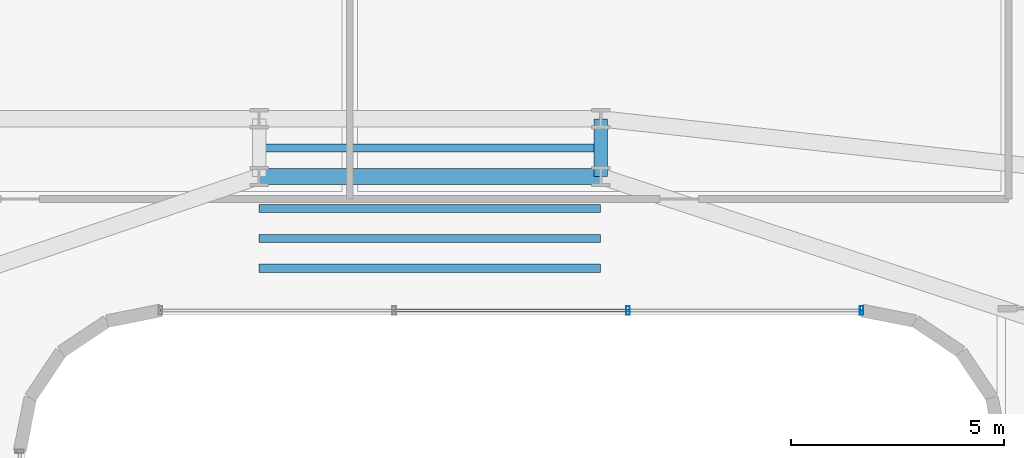
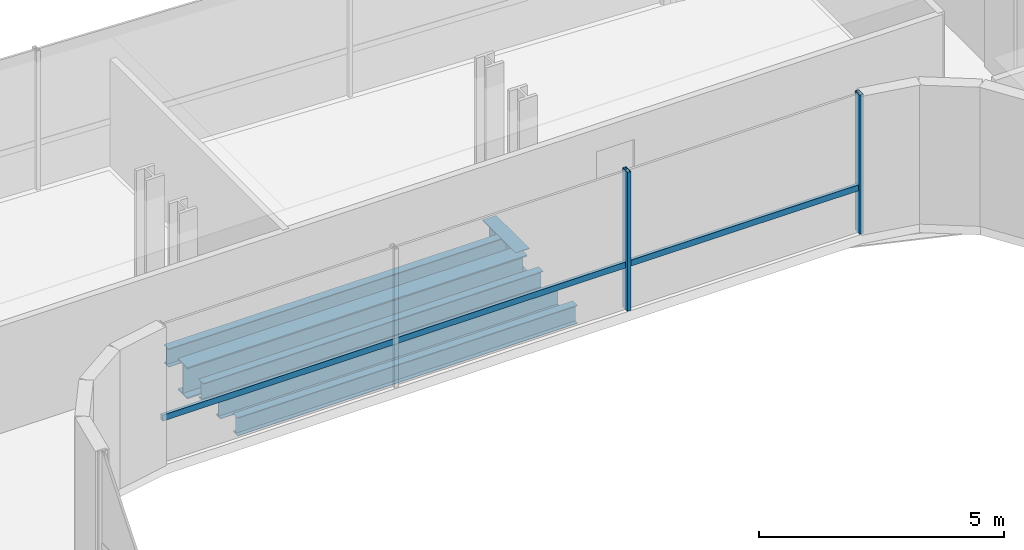
# One storey, part 14 of 34: 6 beams, 3 members, 1 element without a shape of its own.
"""IFC4 building model written with IfcOpenShell, lengths in metres."""

from ifc_helpers import new_model, si_unit, direction, frame, origin, origin_2d, place, context, subcontext, project, spatial, hollow_rectangle, i_section, extrude, source, transform, mapped, material, material_profile, profile_set, type_object, element, aggregate, save


model = new_model("IFC4")

# Units and contexts
model_context = context("Model", 3, precision=1e-05, world=origin(), true_north=direction((0.0, 1.0)))
body_context = subcontext(model_context, "Body", "Model", "MODEL_VIEW")
ifc_project = project(units=[si_unit("LENGTHUNIT", "METRE"), si_unit("AREAUNIT", "SQUARE_METRE"), si_unit("VOLUMEUNIT", "CUBIC_METRE"), si_unit("PLANEANGLEUNIT", "RADIAN"), si_unit("MASSUNIT", "GRAM", prefix="KILO")], contexts=[model_context])

# Site, building, storey
site_placement = place(None, origin())
site = spatial("IfcSite", under=ifc_project, at=site_placement, CompositionType="ELEMENT")
building_placement = place(site_placement, origin())
building = spatial("IfcBuilding", under=site, at=building_placement, Name="Valdorenza Pilgrim Sanctuary Tower", CompositionType="ELEMENT")
storey_placement = place(building_placement, frame((0.0, 0.0, 142.699951171875)))
storey = spatial("IfcBuildingStorey", under=building, at=storey_placement, Name="L36", CompositionType="ELEMENT", Elevation=142.699951171875)

# Beams
ifc_material_1 = material(Name="Steel ASTM A992 Grade 50", Category="steel")
ifc_material_profile_1 = material_profile(ifc_material_1, i_section(OverallWidth=0.323974609375, OverallDepth=0.611083984375, WebThickness=0.0126953125, FlangeThickness=0.01904296875, at=origin_2d()), Name="W24X104")
ifc_profile_set_1 = profile_set([ifc_material_profile_1], Name="Steel ASTM A992 Grade 50")
beam_type_1 = type_object("IfcBeamType", Name="STR-BM-GRD-W24B", PredefinedType="BEAM", material=ifc_profile_set_1)
shared_shape_1 = source(origin(), body_context, "Body", "SweptSolid", [
    extrude(i_section(OverallWidth=0.323974609375, OverallDepth=0.611083984375, WebThickness=0.0126953125, FlangeThickness=0.01904296875, at=origin_2d()), origin(), (0.0, 0.0, 1.0), 1.35009765625),
])
beam_1_placement = place(storey_placement, frame((4.0, 13.449951171875, -0.54541015625), z_axis=(0.0, 1.0, 0.0), x_axis=(-1.0, 0.0, 0.0)))
element("IfcBeam", 1, at=beam_1_placement, inside=storey, type_object=beam_type_1, Name="L36 Floor Girder KNK-TIE-E", PredefinedType="BEAM", context=body_context, shape_type="MappedRepresentation", body=[
    mapped(shared_shape_1, transform((0.0, 0.0, 0.0), x_axis=(1.0, 0.0, 0.0), y_axis=(0.0, 1.0, 0.0), z_axis=(0.0, 0.0, 1.0), scale=1.0)),
])
ifc_material_profile_2 = material_profile(ifc_material_1, i_section(OverallWidth=0.382080078125, OverallDepth=0.779052734375, WebThickness=0.01806640625, FlangeThickness=0.030029296875, at=origin_2d()), Name="W30X191")
ifc_profile_set_2 = profile_set([ifc_material_profile_2], Name="Steel ASTM A992 Grade 50")
beam_type_2 = type_object("IfcBeamType", Name="STR-BM-GRD-W30", PredefinedType="BEAM", material=ifc_profile_set_2)
shared_shape_2 = source(origin(), body_context, "Body", "SweptSolid", [
    extrude(i_section(OverallWidth=0.382080078125, OverallDepth=0.779052734375, WebThickness=0.01806640625, FlangeThickness=0.030029296875, at=origin_2d()), origin(), (0.0, 0.0, 1.0), 8.0),
])
beam_2_placement = place(storey_placement, frame((-4.0, 13.449951171875, -0.62939453125), z_axis=(1.0, 0.0, 0.0), x_axis=(0.0, 1.0, 0.0)))
element("IfcBeam", 2, at=beam_2_placement, inside=storey, type_object=beam_type_2, Name="L36 Floor Girder KNK-G2", PredefinedType="BEAM", context=body_context, shape_type="MappedRepresentation", body=[
    mapped(shared_shape_2, transform((0.0, 0.0, 0.0), x_axis=(1.0, 0.0, 0.0), y_axis=(0.0, 1.0, 0.0), z_axis=(0.0, 0.0, 1.0), scale=1.0)),
])
ifc_material_profile_3 = material_profile(ifc_material_1, i_section(OverallWidth=0.19091796875, OverallDepth=0.45703125, WebThickness=0.009033203125, FlangeThickness=0.014404296875, at=origin_2d()), Name="W18X50")
ifc_profile_set_3 = profile_set([ifc_material_profile_3], Name="Steel ASTM A992 Grade 50")
beam_type_3 = type_object("IfcBeamType", Name="STR-BM-JST-W18B", PredefinedType="JOIST", material=ifc_profile_set_3)
shared_shape_3 = source(origin(), body_context, "Body", "SweptSolid", [
    extrude(i_section(OverallWidth=0.19091796875, OverallDepth=0.45703125, WebThickness=0.009033203125, FlangeThickness=0.014404296875, at=origin_2d()), origin(), (0.0, 0.0, 1.0), 8.0),
])
for number, where, z_axis, x_axis, name in (
    (3, (-4.0, 11.300048828125, -0.468505859375), (1.0, 0.0, 0.0), (0.0, 1.0, 0.0), "L36 Knuckle Composite Joist JST-KNK-1"),
    (4, (-4.0, 12.0, -0.468505859375), (1.0, 0.0, 0.0), (0.0, 1.0, 0.0), "L36 Knuckle Composite Joist JST-KNK-2"),
    (5, (-4.0, 12.699951171875, -0.468505859375), (1.0, 0.0, 0.0), (0.0, 1.0, 0.0), "L36 Knuckle Composite Joist JST-KNK-3"),
    (6, (-4.0, 14.1201171875, -0.468505859375), (1.0, 0.0, 0.0), (0.0, 1.0, 0.0), "L36 Knuckle Composite Joist JST-KNK-4"),
):
    element("IfcBeam", number, at=place(storey_placement, frame(where, z_axis=z_axis, x_axis=x_axis)), inside=storey, type_object=beam_type_3, Name=name, PredefinedType="JOIST", context=body_context, shape_type="MappedRepresentation", body=[
        mapped(shared_shape_3, transform((0.0, 0.0, 0.0), x_axis=(1.0, 0.0, 0.0), y_axis=(0.0, 1.0, 0.0), z_axis=(0.0, 0.0, 1.0), scale=1.0)),
    ])

# Curtain wall, members
ifc_material_2 = material(Name="Curtain-wall IGU glazing", Category="glass")
curtain_wall_type = type_object("IfcCurtainWallType", Name="CW-SYS-02", PredefinedType="NOTDEFINED", material=ifc_material_2)
curtain_wall_placement = place(storey_placement, origin())
curtain_wall = element("IfcCurtainWall", 7, at=curtain_wall_placement, inside=storey, type_object=curtain_wall_type, Name="L36 Curtain Wall CW-L36-1-36", PredefinedType="NOTDEFINED")
ifc_material_3 = material(Name="Anodised aluminium AW-6060", Category="aluminium")
ifc_material_profile_4 = material_profile(ifc_material_3, hollow_rectangle(XDim=0.0849609375, YDim=0.199951171875, WallThickness=0.0048828125, at=origin_2d()), Name="ALU-M 200x85x5")
ifc_profile_set_4 = profile_set([ifc_material_profile_4], Name="Anodised aluminium AW-6060")
member_type_1 = type_object("IfcMemberType", Name="CW-MUL-02", PredefinedType="MULLION", material=ifc_profile_set_4)
shared_shape_4 = source(origin(), body_context, "Body", "SweptSolid", [
    extrude(hollow_rectangle(XDim=0.0849609375, YDim=0.199951171875, WallThickness=0.0048828125, at=origin_2d()), origin(), (0.0, 0.0, 1.0), 3.4599609375),
])
member_1_placement = place(storey_placement, frame((10.11083984375, 10.31005859375, 0.0), z_axis=(0.0, 0.0, 1.0), x_axis=(-1.0, 0.0, 0.0)))
member_1 = element("IfcMember", 8, at=member_1_placement, type_object=member_type_1, Name="CW-L36-1-36 Mullion 1", PredefinedType="MULLION", context=body_context, shape_type="MappedRepresentation", body=[
    mapped(shared_shape_4, transform((0.0, 0.0, 0.0), x_axis=(1.0, 0.0, 0.0), y_axis=(0.0, 1.0, 0.0), z_axis=(0.0, 0.0, 1.0), scale=1.0)),
])
member_2_placement = place(storey_placement, frame((4.636962890625, 10.31005859375, 0.0), z_axis=(0.0, 0.0, 1.0), x_axis=(-1.0, 0.0, 0.0)))
member_2 = element("IfcMember", 9, at=member_2_placement, type_object=member_type_1, Name="CW-L36-1-36 Mullion 2", PredefinedType="MULLION", context=body_context, shape_type="MappedRepresentation", body=[
    mapped(shared_shape_4, transform((0.0, 0.0, 0.0), x_axis=(1.0, 0.0, 0.0), y_axis=(0.0, 1.0, 0.0), z_axis=(0.0, 0.0, 1.0), scale=1.0)),
])
ifc_material_profile_5 = material_profile(ifc_material_3, hollow_rectangle(XDim=0.074951171875, YDim=0.14990234375, WallThickness=0.00390625, at=origin_2d()), Name="ALU-T 150x75x4")
ifc_profile_set_5 = profile_set([ifc_material_profile_5], Name="Anodised aluminium AW-6060")
member_type_2 = type_object("IfcMemberType", Name="CW-TRN-02", PredefinedType="USERDEFINED", material=ifc_profile_set_5)
shared_shape_5 = source(origin(), body_context, "Body", "SweptSolid", [
    extrude(hollow_rectangle(XDim=0.074951171875, YDim=0.14990234375, WallThickness=0.00390625, at=origin_2d()), origin(), (0.0, 0.0, 1.0), 16.421630859375),
])
member_3_placement = place(storey_placement, frame((10.11083984375, 10.31005859375, 1.1201171875), z_axis=(-1.0, 0.0, 0.0), x_axis=(0.0, -1.0, 0.0)))
member_3 = element("IfcMember", 10, at=member_3_placement, type_object=member_type_2, Name="CW-L36-1-36 Transom 1", ObjectType="TRANSOM", PredefinedType="USERDEFINED", context=body_context, shape_type="MappedRepresentation", body=[
    mapped(shared_shape_5, transform((0.0, 0.0, 0.0), x_axis=(1.0, 0.0, 0.0), y_axis=(0.0, 1.0, 0.0), z_axis=(0.0, 0.0, 1.0), scale=1.0)),
])
aggregate(curtain_wall, [member_1, member_2, member_3])

save(model, "model.ifc")
